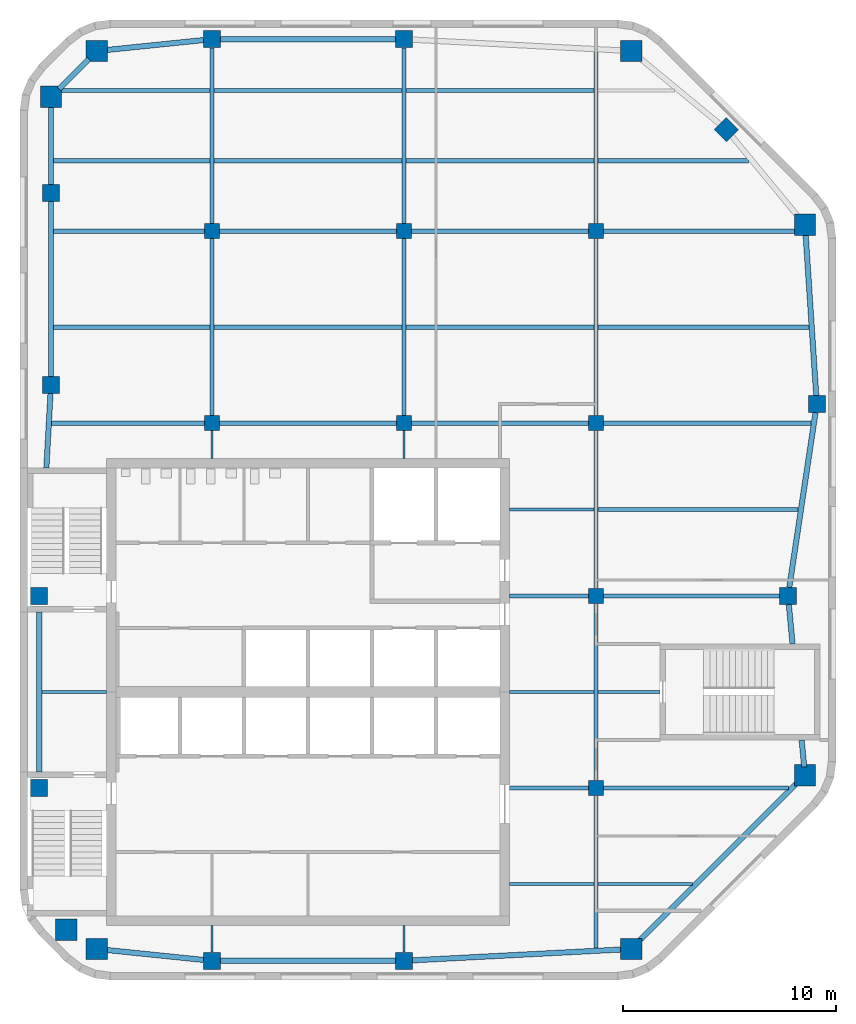
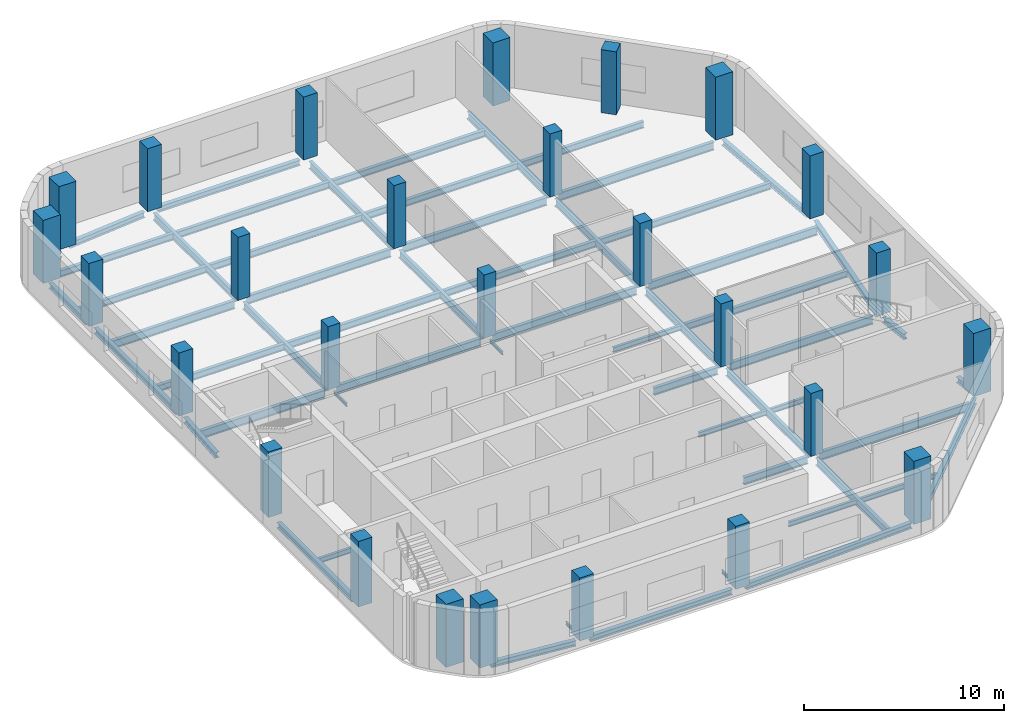
# One storey, part 1 of 7: 58 beams, 27 columns.
"""IFC4 building model written with IfcOpenShell, lengths in metres."""

from ifc_helpers import new_model, si_unit, direction, frame, origin, origin_2d, place, context, subcontext, project, spatial, rectangle, i_section, extrude, material, material_profile, profile_set, type_object, element, save


model = new_model("IFC4")

# Units and contexts
model_context = context("Model", 3, precision=1e-05, world=origin(), true_north=direction((0.0, 1.0)))
body_context = subcontext(model_context, "Body", "Model", "MODEL_VIEW")
ifc_project = project(units=[si_unit("LENGTHUNIT", "METRE"), si_unit("AREAUNIT", "SQUARE_METRE"), si_unit("VOLUMEUNIT", "CUBIC_METRE"), si_unit("PLANEANGLEUNIT", "RADIAN"), si_unit("MASSUNIT", "GRAM", prefix="KILO")], contexts=[model_context])

# Site, building, storey
site_placement = place(None, origin())
site = spatial("IfcSite", under=ifc_project, at=site_placement, CompositionType="ELEMENT")
building_placement = place(site_placement, origin())
building = spatial("IfcBuilding", under=site, at=building_placement, Name="Cinnabar Reach Civic Tower", CompositionType="ELEMENT")
storey_placement = place(building_placement, frame((0.0, 0.0, 259.0)))
storey = spatial("IfcBuildingStorey", under=building, at=storey_placement, Name="L62", CompositionType="ELEMENT", Elevation=259.0)

# Columns
ifc_material_1 = material(Name="Concrete C70", Category="concrete")
ifc_material_profile_1 = material_profile(ifc_material_1, rectangle(XDim=1.0, YDim=1.0, at=origin_2d()), Name="RC1000")
ifc_profile_set_1 = profile_set([ifc_material_profile_1], Name="Concrete C70")
column_type_1 = type_object("IfcColumnType", Name="RC1000 column R 240", PredefinedType="COLUMN", material=ifc_profile_set_1)
for number, where, z_axis, x_axis, name in (
    (1, (3.6019, 19.4531, 0.0), (0.0, 0.0, 1.0), (1.0, 0.0, 0.0), "Column T1-Z5-CC0"),
    (2, (28.6481, 19.4531, 0.0), (0.0, 0.0, 1.0), (1.0, 0.0, 0.0), "Column T1-Z5-CC1"),
    (3, (36.7969, 27.6019, 0.0), (0.0, 0.0, 1.0), (1.0, 0.0, 0.0), "Column T1-Z5-CC2"),
    (4, (36.7969, 53.3981, 0.0), (0.0, 0.0, 1.0), (1.0, 0.0, 0.0), "Column T1-Z5-CC3"),
    (5, (28.6481, 61.5469, 0.0), (0.0, 0.0, 1.0), (1.0, 0.0, 0.0), "Column T1-Z5-CC4"),
    (6, (3.6019, 61.5469, 0.0), (0.0, 0.0, 1.0), (1.0, 0.0, 0.0), "Column T1-Z5-CC5"),
    (7, (1.4531, 59.3981, 0.0), (0.0, 0.0, 1.0), (1.0, 0.0, 0.0), "Column T1-Z5-CC6"),
    (8, (2.1631, 20.35, 0.0), (0.0, 0.0, 1.0), (1.0, 0.0, 0.0), "Column T1-Z5-CC7"),
):
    element("IfcColumn", number, at=place(storey_placement, frame(where, z_axis=z_axis, x_axis=x_axis)), inside=storey, type_object=column_type_1, Name=name, PredefinedType="COLUMN", context=body_context, shape_type="SweptSolid", body=[
        extrude(rectangle(XDim=1.0, YDim=1.0, at=origin_2d()), origin(), (0.0, 0.0, 1.0), 3.85),
    ])
ifc_material_2 = material(Name="Concrete C60", Category="concrete")
ifc_material_profile_2 = material_profile(ifc_material_2, rectangle(XDim=0.7, YDim=0.7, at=origin_2d()), Name="RC700")
ifc_profile_set_2 = profile_set([ifc_material_profile_2], Name="Concrete C60")
column_type_2 = type_object("IfcColumnType", Name="RC700 column R 240", PredefinedType="COLUMN", material=ifc_profile_set_2)
for number, where, z_axis, x_axis, name in (
    (9, (9.0, 44.1, 0.0), (0.0, 0.0, 1.0), (1.0, 0.0, 0.0), "Column T1-Z5-I9_45"),
    (10, (9.0, 53.1, 0.0), (0.0, 0.0, 1.0), (1.0, 0.0, 0.0), "Column T1-Z5-I9_54"),
    (11, (18.0, 44.1, 0.0), (0.0, 0.0, 1.0), (1.0, 0.0, 0.0), "Column T1-Z5-I18_45"),
    (12, (18.0, 53.1, 0.0), (0.0, 0.0, 1.0), (1.0, 0.0, 0.0), "Column T1-Z5-I18_54"),
    (13, (27.0, 27.0, 0.0), (0.0, 0.0, 1.0), (1.0, 0.0, 0.0), "Column T1-Z5-I27_27"),
    (14, (27.0, 36.0, 0.0), (0.0, 0.0, 1.0), (1.0, 0.0, 0.0), "Column T1-Z5-I27_36"),
    (15, (27.0, 44.1, 0.0), (0.0, 0.0, 1.0), (1.0, 0.0, 0.0), "Column T1-Z5-I27_45"),
    (16, (27.0, 53.1, 0.0), (0.0, 0.0, 1.0), (1.0, 0.0, 0.0), "Column T1-Z5-I27_54"),
):
    element("IfcColumn", number, at=place(storey_placement, frame(where, z_axis=z_axis, x_axis=x_axis)), inside=storey, type_object=column_type_2, Name=name, PredefinedType="COLUMN", context=body_context, shape_type="SweptSolid", body=[
        extrude(rectangle(XDim=0.7, YDim=0.7, at=origin_2d()), origin(), (0.0, 0.0, 1.0), 3.85),
    ])
ifc_material_profile_3 = material_profile(ifc_material_2, rectangle(XDim=0.8, YDim=0.8, at=origin_2d()), Name="RC800")
ifc_profile_set_3 = profile_set([ifc_material_profile_3], Name="Concrete C60")
column_type_3 = type_object("IfcColumnType", Name="RC800 column R 240", PredefinedType="COLUMN", material=ifc_profile_set_3)
for number, where, z_axis, x_axis, name in (
    (17, (9.0, 18.9, 0.0), (0.0, 0.0, 1.0), (1.0, 0.0, 0.0), "Column T1-Z5-F0-1"),
    (18, (18.0, 18.9, 0.0), (0.0, 0.0, 1.0), (1.0, 0.0, 0.0), "Column T1-Z5-F0-2"),
    (19, (36.0, 36.0, 0.0), (0.0, 0.0, 1.0), (1.0, 0.0, 0.0), "Column T1-Z5-F2-4"),
    (20, (37.35, 45.0, 0.0), (0.0, 0.0, 1.0), (1.0, 0.0, 0.0), "Column T1-Z5-F2-5"),
    (21, (33.1136, 57.8636, 0.0), (0.0, 0.0, 1.0), (0.707106781187, 0.707106781187, 0.0), "Column T1-Z5-F3-M"),
    (22, (9.0, 62.1, 0.0), (0.0, 0.0, 1.0), (1.0, 0.0, 0.0), "Column T1-Z5-F4-1"),
    (23, (18.0, 62.1, 0.0), (0.0, 0.0, 1.0), (1.0, 0.0, 0.0), "Column T1-Z5-F4-2"),
):
    element("IfcColumn", number, at=place(storey_placement, frame(where, z_axis=z_axis, x_axis=x_axis)), inside=storey, type_object=column_type_3, Name=name, PredefinedType="COLUMN", context=body_context, shape_type="SweptSolid", body=[
        extrude(rectangle(XDim=0.8, YDim=0.8, at=origin_2d()), origin(), (0.0, 0.0, 1.0), 3.85),
    ])
for number, where, z_axis, x_axis, name in (
    (24, (0.9, 27.0, 0.0), (0.0, 0.0, 1.0), (1.0, 0.0, 0.0), "Column T1-Z5-F6-3"),
    (25, (0.9, 36.0, 0.0), (0.0, 0.0, 1.0), (1.0, 0.0, 0.0), "Column T1-Z5-F6-4"),
):
    element("IfcColumn", number, at=place(storey_placement, frame(where, z_axis=z_axis, x_axis=x_axis)), inside=storey, type_object=column_type_3, Name=name, PredefinedType="COLUMN", context=body_context, shape_type="SweptSolid", body=[
        extrude(rectangle(XDim=0.8, YDim=0.8, at=origin_2d()), origin(), (0.0, 0.0, 1.0), 4.0),
    ])
for number, where, z_axis, x_axis, name in (
    (26, (1.4531, 45.8981, 0.0), (0.0, 0.0, 1.0), (1.0, 0.0, 0.0), "Column T1-Z5-F6-5"),
    (27, (1.4531, 54.8981, 0.0), (0.0, 0.0, 1.0), (1.0, 0.0, 0.0), "Column T1-Z5-F6-6"),
):
    element("IfcColumn", number, at=place(storey_placement, frame(where, z_axis=z_axis, x_axis=x_axis)), inside=storey, type_object=column_type_3, Name=name, PredefinedType="COLUMN", context=body_context, shape_type="SweptSolid", body=[
        extrude(rectangle(XDim=0.8, YDim=0.8, at=origin_2d()), origin(), (0.0, 0.0, 1.0), 3.85),
    ])

# Beams
ifc_material_3 = material(Name="Steel Q355B", Category="steel")
ifc_material_profile_4 = material_profile(ifc_material_3, i_section(OverallWidth=0.25, OverallDepth=0.34, WebThickness=0.009, FlangeThickness=0.014, FilletRadius=0.013, at=origin_2d()), Name="HM340x250x9x14")
ifc_profile_set_4 = profile_set([ifc_material_profile_4], Name="Steel Q355B")
beam_type_1 = type_object("IfcBeamType", Name="HM340x250x9x14 beam R 180", PredefinedType="BEAM", material=ifc_profile_set_4)
beam_1_placement = place(storey_placement, frame((3.9839, 19.414, -0.32), z_axis=(0.994791084875, -0.101934770579, 0.0), x_axis=(0.101934770579, 0.994791084875, 0.0)))
element("IfcBeam", 28, at=beam_1_placement, inside=storey, type_object=beam_type_1, Name="Edge beam T1 L62 1", PredefinedType="BEAM", context=body_context, shape_type="SweptSolid", body=[
    extrude(i_section(OverallWidth=0.25, OverallDepth=0.34, WebThickness=0.009, FlangeThickness=0.014, FilletRadius=0.013, at=origin_2d()), origin(), (0.0, 0.0, 1.0), 4.6383),
])
beam_2_placement = place(storey_placement, frame((9.402, 18.9, -0.32), z_axis=(1.0, 0.0, 0.0), x_axis=(0.0, 1.0, 0.0)))
element("IfcBeam", 29, at=beam_2_placement, inside=storey, type_object=beam_type_1, Name="Edge beam T1 L62 2", PredefinedType="BEAM", context=body_context, shape_type="SweptSolid", body=[
    extrude(i_section(OverallWidth=0.25, OverallDepth=0.34, WebThickness=0.009, FlangeThickness=0.014, FilletRadius=0.013, at=origin_2d()), origin(), (0.0, 0.0, 1.0), 8.196),
])
beam_3_placement = place(storey_placement, frame((18.402, 18.9209, -0.32), z_axis=(0.998653533726, 0.051876001934, 0.0), x_axis=(-0.051876001934, 0.998653533726, 0.0)))
element("IfcBeam", 30, at=beam_3_placement, inside=storey, type_object=beam_type_1, Name="Edge beam T1 L62 3", PredefinedType="BEAM", context=body_context, shape_type="SweptSolid", body=[
    extrude(i_section(OverallWidth=0.25, OverallDepth=0.34, WebThickness=0.009, FlangeThickness=0.014, FilletRadius=0.013, at=origin_2d()), origin(), (0.0, 0.0, 1.0), 9.8774),
])
beam_4_placement = place(storey_placement, frame((29.0301, 19.8351, -0.32), z_axis=(0.707106781187, 0.707106781187, 0.0), x_axis=(-0.707106781187, 0.707106781187, 0.0)))
element("IfcBeam", 31, at=beam_4_placement, inside=storey, type_object=beam_type_1, Name="Edge beam T1 L62 4", PredefinedType="BEAM", context=body_context, shape_type="SweptSolid", body=[
    extrude(i_section(OverallWidth=0.25, OverallDepth=0.34, WebThickness=0.009, FlangeThickness=0.014, FilletRadius=0.013, at=origin_2d()), origin(), (0.0, 0.0, 1.0), 10.4437),
])
beam_5_placement = place(storey_placement, frame((36.7607, 27.9839, -0.32), z_axis=(-0.094504338241, 0.995524449752, 0.0), x_axis=(-0.995524449752, -0.094504338241, 0.0)))
element("IfcBeam", 32, at=beam_5_placement, inside=storey, type_object=beam_type_1, Name="Edge beam T1 L62 5", PredefinedType="BEAM", context=body_context, shape_type="SweptSolid", body=[
    extrude(i_section(OverallWidth=0.25, OverallDepth=0.34, WebThickness=0.009, FlangeThickness=0.014, FilletRadius=0.013, at=origin_2d()), origin(), (0.0, 0.0, 1.0), 1.2698),
])
beam_6_placement = place(storey_placement, frame((36.2133, 33.752, -0.32), z_axis=(-0.094483333102, 0.995526443529, 0.0), x_axis=(-0.995526443529, -0.094483333102, 0.0)))
element("IfcBeam", 33, at=beam_6_placement, inside=storey, type_object=beam_type_1, Name="Edge beam T1 L62 6", PredefinedType="BEAM", context=body_context, shape_type="SweptSolid", body=[
    extrude(i_section(OverallWidth=0.25, OverallDepth=0.34, WebThickness=0.009, FlangeThickness=0.014, FilletRadius=0.013, at=origin_2d()), origin(), (0.0, 0.0, 1.0), 1.8543),
])
beam_7_placement = place(storey_placement, frame((36.0603, 36.402, -0.32), z_axis=(0.14834045293, 0.988936352868, 0.0), x_axis=(-0.988936352868, 0.14834045293, 0.0)))
element("IfcBeam", 34, at=beam_7_placement, inside=storey, type_object=beam_type_1, Name="Edge beam T1 L62 7", PredefinedType="BEAM", context=body_context, shape_type="SweptSolid", body=[
    extrude(i_section(OverallWidth=0.25, OverallDepth=0.34, WebThickness=0.009, FlangeThickness=0.014, FilletRadius=0.013, at=origin_2d()), origin(), (0.0, 0.0, 1.0), 8.2877),
])
beam_8_placement = place(storey_placement, frame((37.3235, 45.402, -0.32), z_axis=(-0.065709195057, 0.997838815483, 0.0), x_axis=(-0.997838815483, -0.065709195057, 0.0)))
element("IfcBeam", 35, at=beam_8_placement, inside=storey, type_object=beam_type_1, Name="Edge beam T1 L62 8", PredefinedType="BEAM", context=body_context, shape_type="SweptSolid", body=[
    extrude(i_section(OverallWidth=0.25, OverallDepth=0.34, WebThickness=0.009, FlangeThickness=0.014, FilletRadius=0.013, at=origin_2d()), origin(), (0.0, 0.0, 1.0), 7.6306),
])
beam_9_placement = place(storey_placement, frame((17.598, 62.1, -0.32), z_axis=(-1.0, 0.0, 0.0), x_axis=(0.0, -1.0, 0.0)))
element("IfcBeam", 36, at=beam_9_placement, inside=storey, type_object=beam_type_1, Name="Edge beam T1 L62 12", PredefinedType="BEAM", context=body_context, shape_type="SweptSolid", body=[
    extrude(i_section(OverallWidth=0.25, OverallDepth=0.34, WebThickness=0.009, FlangeThickness=0.014, FilletRadius=0.013, at=origin_2d()), origin(), (0.0, 0.0, 1.0), 8.196),
])
beam_10_placement = place(storey_placement, frame((8.598, 62.0588, -0.32), z_axis=(-0.994791084875, -0.101934770579, 0.0), x_axis=(0.101934770579, -0.994791084875, 0.0)))
element("IfcBeam", 37, at=beam_10_placement, inside=storey, type_object=beam_type_1, Name="Edge beam T1 L62 13", PredefinedType="BEAM", context=body_context, shape_type="SweptSolid", body=[
    extrude(i_section(OverallWidth=0.25, OverallDepth=0.34, WebThickness=0.009, FlangeThickness=0.014, FilletRadius=0.013, at=origin_2d()), origin(), (0.0, 0.0, 1.0), 4.6383),
])
beam_11_placement = place(storey_placement, frame((3.2199, 61.1649, -0.32), z_axis=(-0.707106781187, -0.707106781187, 0.0), x_axis=(0.707106781187, -0.707106781187, 0.0)))
element("IfcBeam", 38, at=beam_11_placement, inside=storey, type_object=beam_type_1, Name="Edge beam T1 L62 14", PredefinedType="BEAM", context=body_context, shape_type="SweptSolid", body=[
    extrude(i_section(OverallWidth=0.25, OverallDepth=0.34, WebThickness=0.009, FlangeThickness=0.014, FilletRadius=0.013, at=origin_2d()), origin(), (0.0, 0.0, 1.0), 1.9584),
])
beam_12_placement = place(storey_placement, frame((1.4531, 59.0161, -0.32), z_axis=(0.0, -1.0, 0.0), x_axis=(1.0, 0.0, 0.0)))
element("IfcBeam", 39, at=beam_12_placement, inside=storey, type_object=beam_type_1, Name="Edge beam T1 L62 15", PredefinedType="BEAM", context=body_context, shape_type="SweptSolid", body=[
    extrude(i_section(OverallWidth=0.25, OverallDepth=0.34, WebThickness=0.009, FlangeThickness=0.014, FilletRadius=0.013, at=origin_2d()), origin(), (0.0, 0.0, 1.0), 3.716),
])
beam_13_placement = place(storey_placement, frame((1.4531, 54.4961, -0.32), z_axis=(0.0, -1.0, 0.0), x_axis=(1.0, 0.0, 0.0)))
element("IfcBeam", 40, at=beam_13_placement, inside=storey, type_object=beam_type_1, Name="Edge beam T1 L62 16", PredefinedType="BEAM", context=body_context, shape_type="SweptSolid", body=[
    extrude(i_section(OverallWidth=0.25, OverallDepth=0.34, WebThickness=0.009, FlangeThickness=0.014, FilletRadius=0.013, at=origin_2d()), origin(), (0.0, 0.0, 1.0), 8.196),
])
beam_14_placement = place(storey_placement, frame((1.4306, 45.4961, -0.32), z_axis=(-0.055778628236, -0.998443160441, 0.0), x_axis=(0.998443160441, -0.055778628236, 0.0)))
element("IfcBeam", 41, at=beam_14_placement, inside=storey, type_object=beam_type_1, Name="Edge beam T1 L62 17", PredefinedType="BEAM", context=body_context, shape_type="SweptSolid", body=[
    extrude(i_section(OverallWidth=0.25, OverallDepth=0.34, WebThickness=0.009, FlangeThickness=0.014, FilletRadius=0.013, at=origin_2d()), origin(), (0.0, 0.0, 1.0), 3.4995),
])
beam_15_placement = place(storey_placement, frame((0.9, 35.248, -0.32), z_axis=(0.0, -1.0, 0.0), x_axis=(1.0, 0.0, 0.0)))
element("IfcBeam", 42, at=beam_15_placement, inside=storey, type_object=beam_type_1, Name="Edge beam T1 L62 18", PredefinedType="BEAM", context=body_context, shape_type="SweptSolid", body=[
    extrude(i_section(OverallWidth=0.25, OverallDepth=0.34, WebThickness=0.009, FlangeThickness=0.014, FilletRadius=0.013, at=origin_2d()), origin(), (0.0, 0.0, 1.0), 7.496),
])
ifc_material_profile_5 = material_profile(ifc_material_3, i_section(OverallWidth=0.099, OverallDepth=0.198, WebThickness=0.0045, FlangeThickness=0.007, FilletRadius=0.013, at=origin_2d()), Name="HN200x100x5.5x8")
ifc_profile_set_5 = profile_set([ifc_material_profile_5], Name="Steel Q355B")
beam_type_2 = type_object("IfcBeamType", Name="HN200x100x5.5x8 beam R 180", PredefinedType="BEAM", material=ifc_profile_set_5)
beam_16_placement = place(storey_placement, frame((9.0, 19.302, -0.249), z_axis=(0.0, 1.0, 0.0), x_axis=(-1.0, 0.0, 0.0)))
element("IfcBeam", 43, at=beam_16_placement, inside=storey, type_object=beam_type_2, Name="Girder T1 L62 1", PredefinedType="BEAM", context=body_context, shape_type="SweptSolid", body=[
    extrude(i_section(OverallWidth=0.099, OverallDepth=0.198, WebThickness=0.0045, FlangeThickness=0.007, FilletRadius=0.013, at=origin_2d()), origin(), (0.0, 0.0, 1.0), 1.246),
])
beam_17_placement = place(storey_placement, frame((9.0, 42.452, -0.249), z_axis=(0.0, 1.0, 0.0), x_axis=(-1.0, 0.0, 0.0)))
element("IfcBeam", 44, at=beam_17_placement, inside=storey, type_object=beam_type_2, Name="Girder T1 L62 2", PredefinedType="BEAM", context=body_context, shape_type="SweptSolid", body=[
    extrude(i_section(OverallWidth=0.099, OverallDepth=0.198, WebThickness=0.0045, FlangeThickness=0.007, FilletRadius=0.013, at=origin_2d()), origin(), (0.0, 0.0, 1.0), 1.296),
])
beam_18_placement = place(storey_placement, frame((18.0, 19.302, -0.249), z_axis=(0.0, 1.0, 0.0), x_axis=(-1.0, 0.0, 0.0)))
element("IfcBeam", 45, at=beam_18_placement, inside=storey, type_object=beam_type_2, Name="Girder T1 L62 5", PredefinedType="BEAM", context=body_context, shape_type="SweptSolid", body=[
    extrude(i_section(OverallWidth=0.099, OverallDepth=0.198, WebThickness=0.0045, FlangeThickness=0.007, FilletRadius=0.013, at=origin_2d()), origin(), (0.0, 0.0, 1.0), 1.246),
])
beam_19_placement = place(storey_placement, frame((18.0, 42.452, -0.249), z_axis=(0.0, 1.0, 0.0), x_axis=(-1.0, 0.0, 0.0)))
element("IfcBeam", 46, at=beam_19_placement, inside=storey, type_object=beam_type_2, Name="Girder T1 L62 6", PredefinedType="BEAM", context=body_context, shape_type="SweptSolid", body=[
    extrude(i_section(OverallWidth=0.099, OverallDepth=0.198, WebThickness=0.0045, FlangeThickness=0.007, FilletRadius=0.013, at=origin_2d()), origin(), (0.0, 0.0, 1.0), 1.296),
])
ifc_material_profile_6 = material_profile(ifc_material_3, i_section(OverallWidth=0.15, OverallDepth=0.3, WebThickness=0.0065, FlangeThickness=0.009, FilletRadius=0.013, at=origin_2d()), Name="HN300x150x6.5x9")
ifc_profile_set_6 = profile_set([ifc_material_profile_6], Name="Steel Q355B")
beam_type_3 = type_object("IfcBeamType", Name="HN300x150x6.5x9 beam R 180", PredefinedType="BEAM", material=ifc_profile_set_6)
beam_20_placement = place(storey_placement, frame((22.952, 22.5, -0.3), z_axis=(1.0, 0.0, 0.0), x_axis=(0.0, 1.0, 0.0)))
element("IfcBeam", 47, at=beam_20_placement, inside=storey, type_object=beam_type_3, Name="Secondary beam T1 L62 1", PredefinedType="BEAM", context=body_context, shape_type="SweptSolid", body=[
    extrude(i_section(OverallWidth=0.15, OverallDepth=0.3, WebThickness=0.0065, FlangeThickness=0.009, FilletRadius=0.013, at=origin_2d()), origin(), (0.0, 0.0, 1.0), 3.946),
])
beam_21_placement = place(storey_placement, frame((27.102, 22.5, -0.3), z_axis=(1.0, 0.0, 0.0), x_axis=(0.0, 1.0, 0.0)))
element("IfcBeam", 48, at=beam_21_placement, inside=storey, type_object=beam_type_3, Name="Secondary beam T1 L62 2", PredefinedType="BEAM", context=body_context, shape_type="SweptSolid", body=[
    extrude(i_section(OverallWidth=0.15, OverallDepth=0.3, WebThickness=0.0065, FlangeThickness=0.009, FilletRadius=0.013, at=origin_2d()), origin(), (0.0, 0.0, 1.0), 4.4134),
])
beam_22_placement = place(storey_placement, frame((1.027, 31.5, -0.3), z_axis=(1.0, 0.0, 0.0), x_axis=(0.0, 1.0, 0.0)))
element("IfcBeam", 49, at=beam_22_placement, inside=storey, type_object=beam_type_3, Name="Secondary beam T1 L62 3", PredefinedType="BEAM", context=body_context, shape_type="SweptSolid", body=[
    extrude(i_section(OverallWidth=0.15, OverallDepth=0.3, WebThickness=0.0065, FlangeThickness=0.009, FilletRadius=0.013, at=origin_2d()), origin(), (0.0, 0.0, 1.0), 3.021),
])
beam_23_placement = place(storey_placement, frame((22.952, 31.5, -0.3), z_axis=(1.0, 0.0, 0.0), x_axis=(0.0, 1.0, 0.0)))
element("IfcBeam", 50, at=beam_23_placement, inside=storey, type_object=beam_type_3, Name="Secondary beam T1 L62 4", PredefinedType="BEAM", context=body_context, shape_type="SweptSolid", body=[
    extrude(i_section(OverallWidth=0.15, OverallDepth=0.3, WebThickness=0.0065, FlangeThickness=0.009, FilletRadius=0.013, at=origin_2d()), origin(), (0.0, 0.0, 1.0), 3.946),
])
beam_24_placement = place(storey_placement, frame((27.102, 31.5, -0.3), z_axis=(1.0, 0.0, 0.0), x_axis=(0.0, 1.0, 0.0)))
element("IfcBeam", 51, at=beam_24_placement, inside=storey, type_object=beam_type_3, Name="Secondary beam T1 L62 5", PredefinedType="BEAM", context=body_context, shape_type="SweptSolid", body=[
    extrude(i_section(OverallWidth=0.15, OverallDepth=0.3, WebThickness=0.0065, FlangeThickness=0.009, FilletRadius=0.013, at=origin_2d()), origin(), (0.0, 0.0, 1.0), 2.896),
])
beam_25_placement = place(storey_placement, frame((22.952, 40.05, -0.3), z_axis=(1.0, 0.0, 0.0), x_axis=(0.0, 1.0, 0.0)))
element("IfcBeam", 52, at=beam_25_placement, inside=storey, type_object=beam_type_3, Name="Secondary beam T1 L62 6", PredefinedType="BEAM", context=body_context, shape_type="SweptSolid", body=[
    extrude(i_section(OverallWidth=0.15, OverallDepth=0.3, WebThickness=0.0065, FlangeThickness=0.009, FilletRadius=0.013, at=origin_2d()), origin(), (0.0, 0.0, 1.0), 3.946),
])
ifc_material_profile_7 = material_profile(ifc_material_3, i_section(OverallWidth=0.2, OverallDepth=0.4, WebThickness=0.008, FlangeThickness=0.013, FilletRadius=0.016, at=origin_2d()), Name="HN400x200x8x13")
ifc_profile_set_7 = profile_set([ifc_material_profile_7], Name="Steel Q355B")
beam_type_4 = type_object("IfcBeamType", Name="HN400x200x8x13 beam R 180", PredefinedType="BEAM", material=ifc_profile_set_7)
beam_26_placement = place(storey_placement, frame((27.102, 40.05, -0.35), z_axis=(1.0, 0.0, 0.0), x_axis=(0.0, 1.0, 0.0)))
element("IfcBeam", 53, at=beam_26_placement, inside=storey, type_object=beam_type_4, Name="Secondary beam T1 L62 7", PredefinedType="BEAM", context=body_context, shape_type="SweptSolid", body=[
    extrude(i_section(OverallWidth=0.2, OverallDepth=0.4, WebThickness=0.008, FlangeThickness=0.013, FilletRadius=0.016, at=origin_2d()), origin(), (0.0, 0.0, 1.0), 9.3771),
])
beam_27_placement = place(storey_placement, frame((1.5801, 48.6, -0.35), z_axis=(1.0, 0.0, 0.0), x_axis=(0.0, 1.0, 0.0)))
element("IfcBeam", 54, at=beam_27_placement, inside=storey, type_object=beam_type_4, Name="Secondary beam T1 L62 8", PredefinedType="BEAM", context=body_context, shape_type="SweptSolid", body=[
    extrude(i_section(OverallWidth=0.2, OverallDepth=0.4, WebThickness=0.008, FlangeThickness=0.013, FilletRadius=0.016, at=origin_2d()), origin(), (0.0, 0.0, 1.0), 7.3179),
])
for number, where, z_axis, x_axis, name in (
    (55, (9.102, 48.6, -0.35), (1.0, 0.0, 0.0), (0.0, 1.0, 0.0), "Secondary beam T1 L62 9"),
    (56, (18.102, 48.6, -0.35), (1.0, 0.0, 0.0), (0.0, 1.0, 0.0), "Secondary beam T1 L62 10"),
):
    element("IfcBeam", number, at=place(storey_placement, frame(where, z_axis=z_axis, x_axis=x_axis)), inside=storey, type_object=beam_type_4, Name=name, PredefinedType="BEAM", context=body_context, shape_type="SweptSolid", body=[
        extrude(i_section(OverallWidth=0.2, OverallDepth=0.4, WebThickness=0.008, FlangeThickness=0.013, FilletRadius=0.016, at=origin_2d()), origin(), (0.0, 0.0, 1.0), 8.796),
    ])
beam_28_placement = place(storey_placement, frame((27.102, 48.6, -0.35), z_axis=(1.0, 0.0, 0.0), x_axis=(0.0, 1.0, 0.0)))
element("IfcBeam", 57, at=beam_28_placement, inside=storey, type_object=beam_type_4, Name="Secondary beam T1 L62 11", PredefinedType="BEAM", context=body_context, shape_type="SweptSolid", body=[
    extrude(i_section(OverallWidth=0.2, OverallDepth=0.4, WebThickness=0.008, FlangeThickness=0.013, FilletRadius=0.016, at=origin_2d()), origin(), (0.0, 0.0, 1.0), 9.8836),
])
beam_29_placement = place(storey_placement, frame((1.5801, 56.4, -0.35), z_axis=(1.0, 0.0, 0.0), x_axis=(0.0, 1.0, 0.0)))
element("IfcBeam", 58, at=beam_29_placement, inside=storey, type_object=beam_type_4, Name="Secondary beam T1 L62 12", PredefinedType="BEAM", context=body_context, shape_type="SweptSolid", body=[
    extrude(i_section(OverallWidth=0.2, OverallDepth=0.4, WebThickness=0.008, FlangeThickness=0.013, FilletRadius=0.016, at=origin_2d()), origin(), (0.0, 0.0, 1.0), 7.3179),
])
for number, where, z_axis, x_axis, name in (
    (59, (9.102, 56.4, -0.35), (1.0, 0.0, 0.0), (0.0, 1.0, 0.0), "Secondary beam T1 L62 13"),
    (60, (18.102, 56.4, -0.35), (1.0, 0.0, 0.0), (0.0, 1.0, 0.0), "Secondary beam T1 L62 14"),
):
    element("IfcBeam", number, at=place(storey_placement, frame(where, z_axis=z_axis, x_axis=x_axis)), inside=storey, type_object=beam_type_4, Name=name, PredefinedType="BEAM", context=body_context, shape_type="SweptSolid", body=[
        extrude(i_section(OverallWidth=0.2, OverallDepth=0.4, WebThickness=0.008, FlangeThickness=0.013, FilletRadius=0.016, at=origin_2d()), origin(), (0.0, 0.0, 1.0), 8.796),
    ])
beam_30_placement = place(storey_placement, frame((27.102, 56.4, -0.35), z_axis=(1.0, 0.0, 0.0), x_axis=(0.0, 1.0, 0.0)))
element("IfcBeam", 61, at=beam_30_placement, inside=storey, type_object=beam_type_4, Name="Secondary beam T1 L62 15", PredefinedType="BEAM", context=body_context, shape_type="SweptSolid", body=[
    extrude(i_section(OverallWidth=0.2, OverallDepth=0.4, WebThickness=0.008, FlangeThickness=0.013, FilletRadius=0.016, at=origin_2d()), origin(), (0.0, 0.0, 1.0), 7.0542),
])
beam_31_placement = place(storey_placement, frame((1.9551, 59.7, -0.35), z_axis=(1.0, 0.0, 0.0), x_axis=(0.0, 1.0, 0.0)))
element("IfcBeam", 62, at=beam_31_placement, inside=storey, type_object=beam_type_4, Name="Secondary beam T1 L62 16", PredefinedType="BEAM", context=body_context, shape_type="SweptSolid", body=[
    extrude(i_section(OverallWidth=0.2, OverallDepth=0.4, WebThickness=0.008, FlangeThickness=0.013, FilletRadius=0.016, at=origin_2d()), origin(), (0.0, 0.0, 1.0), 6.9429),
])
for number, where, z_axis, x_axis, name in (
    (63, (9.102, 59.7, -0.35), (1.0, 0.0, 0.0), (0.0, 1.0, 0.0), "Secondary beam T1 L62 17"),
    (64, (18.102, 59.7, -0.35), (1.0, 0.0, 0.0), (0.0, 1.0, 0.0), "Secondary beam T1 L62 18"),
):
    element("IfcBeam", number, at=place(storey_placement, frame(where, z_axis=z_axis, x_axis=x_axis)), inside=storey, type_object=beam_type_4, Name=name, PredefinedType="BEAM", context=body_context, shape_type="SweptSolid", body=[
        extrude(i_section(OverallWidth=0.2, OverallDepth=0.4, WebThickness=0.008, FlangeThickness=0.013, FilletRadius=0.016, at=origin_2d()), origin(), (0.0, 0.0, 1.0), 8.796),
    ])
ifc_material_profile_8 = material_profile(ifc_material_3, i_section(OverallWidth=0.2, OverallDepth=0.45, WebThickness=0.009, FlangeThickness=0.014, FilletRadius=0.016, at=origin_2d()), Name="HN450x200x9x14")
ifc_profile_set_8 = profile_set([ifc_material_profile_8], Name="Steel Q355B")
beam_type_5 = type_object("IfcBeamType", Name="HN450x200x9x14 beam R 180", PredefinedType="BEAM", material=ifc_profile_set_8)
for number, where, z_axis, x_axis, name in (
    (65, (22.952, 27.0, -0.375), (1.0, 0.0, 0.0), (0.0, 1.0, 0.0), "Girder T1 L62 1"),
    (66, (22.952, 36.0, -0.375), (1.0, 0.0, 0.0), (0.0, 1.0, 0.0), "Girder T1 L62 3"),
):
    element("IfcBeam", number, at=place(storey_placement, frame(where, z_axis=z_axis, x_axis=x_axis)), inside=storey, type_object=beam_type_5, Name=name, PredefinedType="BEAM", context=body_context, shape_type="SweptSolid", body=[
        extrude(i_section(OverallWidth=0.2, OverallDepth=0.45, WebThickness=0.009, FlangeThickness=0.014, FilletRadius=0.016, at=origin_2d()), origin(), (0.0, 0.0, 1.0), 3.696),
    ])
beam_32_placement = place(storey_placement, frame((9.0, 44.452, -0.375), z_axis=(0.0, 1.0, 0.0), x_axis=(-1.0, 0.0, 0.0)))
element("IfcBeam", 67, at=beam_32_placement, inside=storey, type_object=beam_type_5, Name="Girder T1 L62 3", PredefinedType="BEAM", context=body_context, shape_type="SweptSolid", body=[
    extrude(i_section(OverallWidth=0.2, OverallDepth=0.45, WebThickness=0.009, FlangeThickness=0.014, FilletRadius=0.016, at=origin_2d()), origin(), (0.0, 0.0, 1.0), 8.296),
])
beam_33_placement = place(storey_placement, frame((9.0, 53.452, -0.375), z_axis=(0.0, 1.0, 0.0), x_axis=(-1.0, 0.0, 0.0)))
element("IfcBeam", 68, at=beam_33_placement, inside=storey, type_object=beam_type_5, Name="Girder T1 L62 4", PredefinedType="BEAM", context=body_context, shape_type="SweptSolid", body=[
    extrude(i_section(OverallWidth=0.2, OverallDepth=0.45, WebThickness=0.009, FlangeThickness=0.014, FilletRadius=0.016, at=origin_2d()), origin(), (0.0, 0.0, 1.0), 8.246),
])
beam_34_placement = place(storey_placement, frame((18.0, 44.452, -0.375), z_axis=(0.0, 1.0, 0.0), x_axis=(-1.0, 0.0, 0.0)))
element("IfcBeam", 69, at=beam_34_placement, inside=storey, type_object=beam_type_5, Name="Girder T1 L62 7", PredefinedType="BEAM", context=body_context, shape_type="SweptSolid", body=[
    extrude(i_section(OverallWidth=0.2, OverallDepth=0.45, WebThickness=0.009, FlangeThickness=0.014, FilletRadius=0.016, at=origin_2d()), origin(), (0.0, 0.0, 1.0), 8.296),
])
beam_35_placement = place(storey_placement, frame((18.0, 53.452, -0.375), z_axis=(0.0, 1.0, 0.0), x_axis=(-1.0, 0.0, 0.0)))
element("IfcBeam", 70, at=beam_35_placement, inside=storey, type_object=beam_type_5, Name="Girder T1 L62 8", PredefinedType="BEAM", context=body_context, shape_type="SweptSolid", body=[
    extrude(i_section(OverallWidth=0.2, OverallDepth=0.45, WebThickness=0.009, FlangeThickness=0.014, FilletRadius=0.016, at=origin_2d()), origin(), (0.0, 0.0, 1.0), 8.246),
])
beam_36_placement = place(storey_placement, frame((27.0, 19.4947, -0.375), z_axis=(0.0, 1.0, 0.0), x_axis=(-1.0, 0.0, 0.0)))
element("IfcBeam", 71, at=beam_36_placement, inside=storey, type_object=beam_type_5, Name="Girder T1 L62 9", PredefinedType="BEAM", context=body_context, shape_type="SweptSolid", body=[
    extrude(i_section(OverallWidth=0.2, OverallDepth=0.45, WebThickness=0.009, FlangeThickness=0.014, FilletRadius=0.016, at=origin_2d()), origin(), (0.0, 0.0, 1.0), 7.1533),
])
beam_37_placement = place(storey_placement, frame((27.0, 27.352, -0.375), z_axis=(0.0, 1.0, 0.0), x_axis=(-1.0, 0.0, 0.0)))
element("IfcBeam", 72, at=beam_37_placement, inside=storey, type_object=beam_type_5, Name="Girder T1 L62 10", PredefinedType="BEAM", context=body_context, shape_type="SweptSolid", body=[
    extrude(i_section(OverallWidth=0.2, OverallDepth=0.45, WebThickness=0.009, FlangeThickness=0.014, FilletRadius=0.016, at=origin_2d()), origin(), (0.0, 0.0, 1.0), 8.296),
])
beam_38_placement = place(storey_placement, frame((27.0, 36.352, -0.375), z_axis=(0.0, 1.0, 0.0), x_axis=(-1.0, 0.0, 0.0)))
element("IfcBeam", 73, at=beam_38_placement, inside=storey, type_object=beam_type_5, Name="Girder T1 L62 11", PredefinedType="BEAM", context=body_context, shape_type="SweptSolid", body=[
    extrude(i_section(OverallWidth=0.2, OverallDepth=0.45, WebThickness=0.009, FlangeThickness=0.014, FilletRadius=0.016, at=origin_2d()), origin(), (0.0, 0.0, 1.0), 7.396),
])
beam_39_placement = place(storey_placement, frame((27.0, 44.452, -0.375), z_axis=(0.0, 1.0, 0.0), x_axis=(-1.0, 0.0, 0.0)))
element("IfcBeam", 74, at=beam_39_placement, inside=storey, type_object=beam_type_5, Name="Girder T1 L62 12", PredefinedType="BEAM", context=body_context, shape_type="SweptSolid", body=[
    extrude(i_section(OverallWidth=0.2, OverallDepth=0.45, WebThickness=0.009, FlangeThickness=0.014, FilletRadius=0.016, at=origin_2d()), origin(), (0.0, 0.0, 1.0), 8.296),
])
beam_40_placement = place(storey_placement, frame((27.0, 53.452, -0.375), z_axis=(0.0, 1.0, 0.0), x_axis=(-1.0, 0.0, 0.0)))
element("IfcBeam", 75, at=beam_40_placement, inside=storey, type_object=beam_type_5, Name="Girder T1 L62 13", PredefinedType="BEAM", context=body_context, shape_type="SweptSolid", body=[
    extrude(i_section(OverallWidth=0.2, OverallDepth=0.45, WebThickness=0.009, FlangeThickness=0.014, FilletRadius=0.016, at=origin_2d()), origin(), (0.0, 0.0, 1.0), 8.0533),
])
ifc_material_profile_9 = material_profile(ifc_material_3, i_section(OverallWidth=0.2, OverallDepth=0.5, WebThickness=0.01, FlangeThickness=0.016, FilletRadius=0.016, at=origin_2d()), Name="HN500x200x10x16")
ifc_profile_set_9 = profile_set([ifc_material_profile_9], Name="Steel Q355B")
beam_type_6 = type_object("IfcBeamType", Name="HN500x200x10x16 beam R 180", PredefinedType="BEAM", material=ifc_profile_set_9)
beam_41_placement = place(storey_placement, frame((27.352, 27.0, -0.4), z_axis=(1.0, 0.0, 0.0), x_axis=(0.0, 1.0, 0.0)))
element("IfcBeam", 76, at=beam_41_placement, inside=storey, type_object=beam_type_6, Name="Girder T1 L62 2", PredefinedType="BEAM", context=body_context, shape_type="SweptSolid", body=[
    extrude(i_section(OverallWidth=0.2, OverallDepth=0.5, WebThickness=0.01, FlangeThickness=0.016, FilletRadius=0.016, at=origin_2d()), origin(), (0.0, 0.0, 1.0), 8.6634),
])
beam_42_placement = place(storey_placement, frame((27.352, 36.0, -0.4), z_axis=(1.0, 0.0, 0.0), x_axis=(0.0, 1.0, 0.0)))
element("IfcBeam", 77, at=beam_42_placement, inside=storey, type_object=beam_type_6, Name="Girder T1 L62 4", PredefinedType="BEAM", context=body_context, shape_type="SweptSolid", body=[
    extrude(i_section(OverallWidth=0.2, OverallDepth=0.5, WebThickness=0.01, FlangeThickness=0.016, FilletRadius=0.016, at=origin_2d()), origin(), (0.0, 0.0, 1.0), 8.246),
])
beam_43_placement = place(storey_placement, frame((1.4798, 44.1, -0.4), z_axis=(1.0, 0.0, 0.0), x_axis=(0.0, 1.0, 0.0)))
element("IfcBeam", 78, at=beam_43_placement, inside=storey, type_object=beam_type_6, Name="Girder T1 L62 5", PredefinedType="BEAM", context=body_context, shape_type="SweptSolid", body=[
    extrude(i_section(OverallWidth=0.2, OverallDepth=0.5, WebThickness=0.01, FlangeThickness=0.016, FilletRadius=0.016, at=origin_2d()), origin(), (0.0, 0.0, 1.0), 7.1682),
])
for number, where, z_axis, x_axis, name in (
    (79, (9.352, 44.1, -0.4), (1.0, 0.0, 0.0), (0.0, 1.0, 0.0), "Girder T1 L62 6"),
    (80, (18.352, 44.1, -0.4), (1.0, 0.0, 0.0), (0.0, 1.0, 0.0), "Girder T1 L62 7"),
):
    element("IfcBeam", number, at=place(storey_placement, frame(where, z_axis=z_axis, x_axis=x_axis)), inside=storey, type_object=beam_type_6, Name=name, PredefinedType="BEAM", context=body_context, shape_type="SweptSolid", body=[
        extrude(i_section(OverallWidth=0.2, OverallDepth=0.5, WebThickness=0.01, FlangeThickness=0.016, FilletRadius=0.016, at=origin_2d()), origin(), (0.0, 0.0, 1.0), 8.296),
    ])
beam_44_placement = place(storey_placement, frame((27.352, 44.1, -0.4), z_axis=(1.0, 0.0, 0.0), x_axis=(0.0, 1.0, 0.0)))
element("IfcBeam", 81, at=beam_44_placement, inside=storey, type_object=beam_type_6, Name="Girder T1 L62 8", PredefinedType="BEAM", context=body_context, shape_type="SweptSolid", body=[
    extrude(i_section(OverallWidth=0.2, OverallDepth=0.5, WebThickness=0.01, FlangeThickness=0.016, FilletRadius=0.016, at=origin_2d()), origin(), (0.0, 0.0, 1.0), 9.7346),
])
beam_45_placement = place(storey_placement, frame((1.5801, 53.1, -0.4), z_axis=(1.0, 0.0, 0.0), x_axis=(0.0, 1.0, 0.0)))
element("IfcBeam", 82, at=beam_45_placement, inside=storey, type_object=beam_type_6, Name="Girder T1 L62 9", PredefinedType="BEAM", context=body_context, shape_type="SweptSolid", body=[
    extrude(i_section(OverallWidth=0.2, OverallDepth=0.5, WebThickness=0.01, FlangeThickness=0.016, FilletRadius=0.016, at=origin_2d()), origin(), (0.0, 0.0, 1.0), 7.0679),
])
for number, where, z_axis, x_axis, name in (
    (83, (9.352, 53.1, -0.4), (1.0, 0.0, 0.0), (0.0, 1.0, 0.0), "Girder T1 L62 10"),
    (84, (18.352, 53.1, -0.4), (1.0, 0.0, 0.0), (0.0, 1.0, 0.0), "Girder T1 L62 11"),
):
    element("IfcBeam", number, at=place(storey_placement, frame(where, z_axis=z_axis, x_axis=x_axis)), inside=storey, type_object=beam_type_6, Name=name, PredefinedType="BEAM", context=body_context, shape_type="SweptSolid", body=[
        extrude(i_section(OverallWidth=0.2, OverallDepth=0.5, WebThickness=0.01, FlangeThickness=0.016, FilletRadius=0.016, at=origin_2d()), origin(), (0.0, 0.0, 1.0), 8.296),
    ])
beam_46_placement = place(storey_placement, frame((27.352, 53.1, -0.4), z_axis=(1.0, 0.0, 0.0), x_axis=(0.0, 1.0, 0.0)))
element("IfcBeam", 85, at=beam_46_placement, inside=storey, type_object=beam_type_6, Name="Girder T1 L62 12", PredefinedType="BEAM", context=body_context, shape_type="SweptSolid", body=[
    extrude(i_section(OverallWidth=0.2, OverallDepth=0.5, WebThickness=0.01, FlangeThickness=0.016, FilletRadius=0.016, at=origin_2d()), origin(), (0.0, 0.0, 1.0), 8.9429),
])

save(model, "model.ifc")
